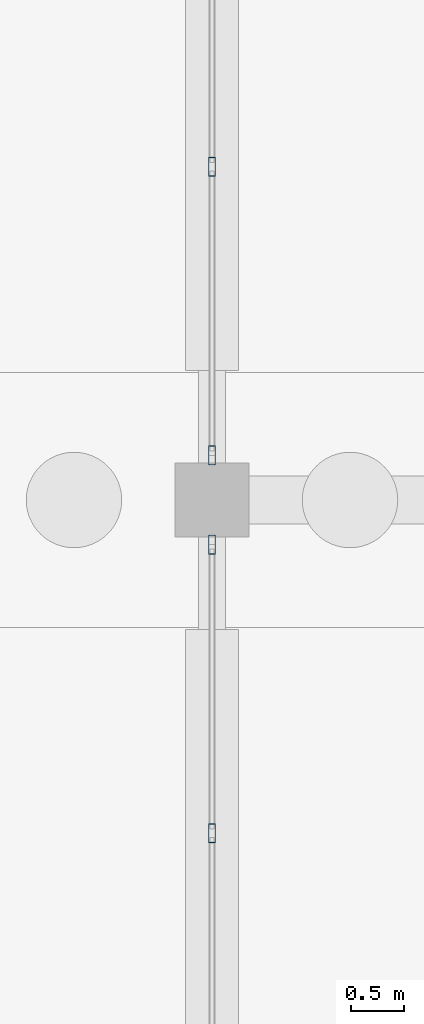
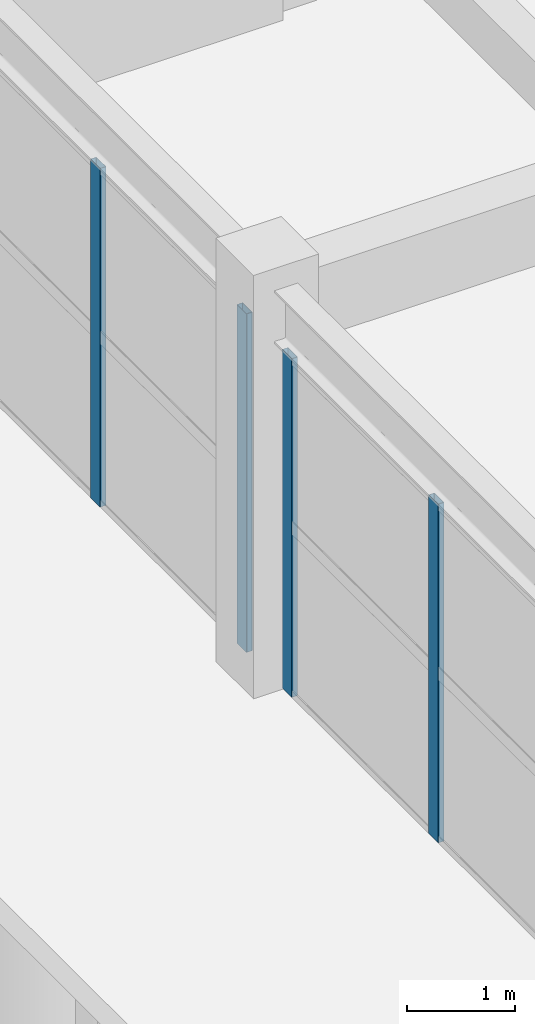
# One storey, part 66 of 147: 4 members, 2 elements without a shape of their own.
"""IFC4 building model written with IfcOpenShell, lengths in metres."""

from ifc_helpers import new_model, si_unit, direction, frame, origin, origin_2d, place, context, subcontext, project, spatial, hollow_rectangle, extrude, material, material_profile, profile_set, type_object, element, aggregate, save


model = new_model("IFC4")

# Units and contexts
model_context = context("Model", 3, precision=1e-05, world=origin(), true_north=direction((0.0, 1.0)))
body_context = subcontext(model_context, "Body", "Model", "MODEL_VIEW")
ifc_project = project(units=[si_unit("LENGTHUNIT", "METRE"), si_unit("AREAUNIT", "SQUARE_METRE"), si_unit("VOLUMEUNIT", "CUBIC_METRE"), si_unit("PLANEANGLEUNIT", "RADIAN"), si_unit("MASSUNIT", "GRAM", prefix="KILO")], contexts=[model_context])

# Site, building, storey
site_placement = place(None, origin())
site = spatial("IfcSite", under=ifc_project, at=site_placement, CompositionType="ELEMENT")
building_placement = place(site_placement, origin())
building = spatial("IfcBuilding", under=site, at=building_placement, Name="Varnabhumi Central Station", CompositionType="ELEMENT")
storey_placement = place(building_placement, origin())
storey = spatial("IfcBuildingStorey", under=building, at=storey_placement, Name="L00", CompositionType="ELEMENT", Elevation=0.0)

# Curtain wall, members
ifc_material = material(Name="Anodised aluminium 6063-T6", Category="aluminium")
curtain_wall_type = type_object("IfcCurtainWallType", Name="CW-PATIO-LOGGIA-L0", PredefinedType="NOTDEFINED", material=ifc_material)
curtain_wall_1_placement = place(storey_placement, origin())
curtain_wall_1 = element("IfcCurtainWall", 1, at=curtain_wall_1_placement, inside=storey, type_object=curtain_wall_type, Name="Curtain Wall CW-NP0W1", PredefinedType="NOTDEFINED")
ifc_material_profile = material_profile(ifc_material, hollow_rectangle(XDim=0.06494140625, YDim=0.179931640625, WallThickness=0.00390625, InnerFilletRadius=0.001953125, OuterFilletRadius=0.006103515625, at=origin_2d()), Name="Anodised aluminium 6063-T6", Category="aluminium")
ifc_profile_set = profile_set([ifc_material_profile], Name="Anodised aluminium 6063-T6")
member_type = type_object("IfcMemberType", Name="CW-MUL-180", PredefinedType="MULLION", material=ifc_profile_set)
member_1_placement = place(storey_placement, frame((80.0, 94.860107421875, 0.0), z_axis=(0.0, 0.0, 1.0), x_axis=(1.0, 0.0, 0.0)))
member_1 = element("IfcMember", 2, at=member_1_placement, type_object=member_type, Name="Curtain Wall Mullion CW-NP0W1-M3", PredefinedType="MULLION", context=body_context, shape_type="SweptSolid", body=[
    extrude(hollow_rectangle(XDim=0.06494140625, YDim=0.179931640625, WallThickness=0.00390625, InnerFilletRadius=0.001953125, OuterFilletRadius=0.006103515625, at=origin_2d()), origin(), (0.0, 0.0, 1.0), 3.840087890625),
])
member_2_placement = place(storey_placement, frame((80.0, 97.580078125, 0.0), z_axis=(0.0, 0.0, 1.0), x_axis=(1.0, 0.0, 0.0)))
member_2 = element("IfcMember", 3, at=member_2_placement, type_object=member_type, Name="Curtain Wall Mullion CW-NP0W1-M4", PredefinedType="MULLION", context=body_context, shape_type="SweptSolid", body=[
    extrude(hollow_rectangle(XDim=0.06494140625, YDim=0.179931640625, WallThickness=0.00390625, InnerFilletRadius=0.001953125, OuterFilletRadius=0.006103515625, at=origin_2d()), origin(), (0.0, 0.0, 1.0), 3.840087890625),
])
aggregate(curtain_wall_1, [member_1, member_2])

curtain_wall_2_placement = place(storey_placement, origin())
curtain_wall_2 = element("IfcCurtainWall", 4, at=curtain_wall_2_placement, inside=storey, type_object=curtain_wall_type, Name="Curtain Wall CW-NP0W2", PredefinedType="NOTDEFINED")
member_3_placement = place(storey_placement, frame((80.0, 98.419921875, 0.0), z_axis=(0.0, 0.0, 1.0), x_axis=(1.0, 0.0, 0.0)))
member_3 = element("IfcMember", 5, at=member_3_placement, type_object=member_type, Name="Curtain Wall Mullion CW-NP0W2-M1", PredefinedType="MULLION", context=body_context, shape_type="SweptSolid", body=[
    extrude(hollow_rectangle(XDim=0.06494140625, YDim=0.179931640625, WallThickness=0.00390625, InnerFilletRadius=0.001953125, OuterFilletRadius=0.006103515625, at=origin_2d()), origin(), (0.0, 0.0, 1.0), 3.840087890625),
])
member_4_placement = place(storey_placement, frame((80.0, 101.139892578125, 0.0), z_axis=(0.0, 0.0, 1.0), x_axis=(1.0, 0.0, 0.0)))
member_4 = element("IfcMember", 6, at=member_4_placement, type_object=member_type, Name="Curtain Wall Mullion CW-NP0W2-M2", PredefinedType="MULLION", context=body_context, shape_type="SweptSolid", body=[
    extrude(hollow_rectangle(XDim=0.06494140625, YDim=0.179931640625, WallThickness=0.00390625, InnerFilletRadius=0.001953125, OuterFilletRadius=0.006103515625, at=origin_2d()), origin(), (0.0, 0.0, 1.0), 3.840087890625),
])
aggregate(curtain_wall_2, [member_3, member_4])

save(model, "model.ifc")
